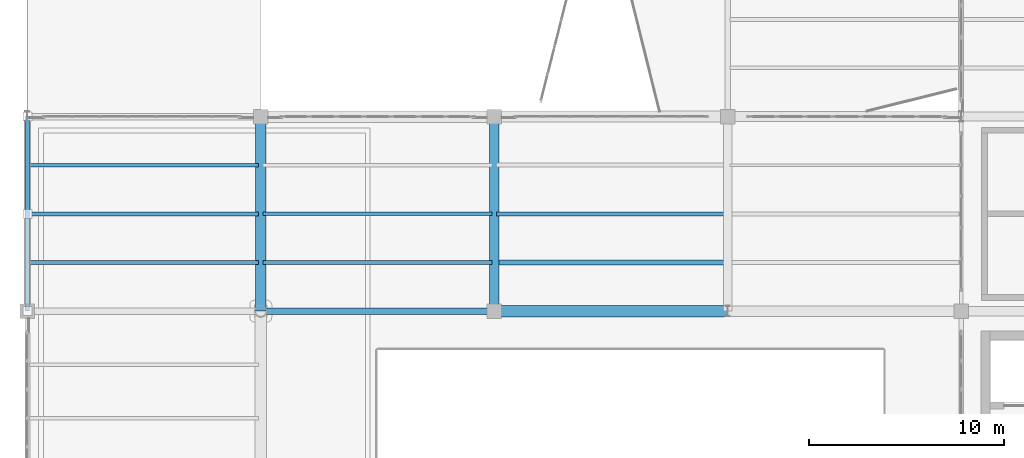
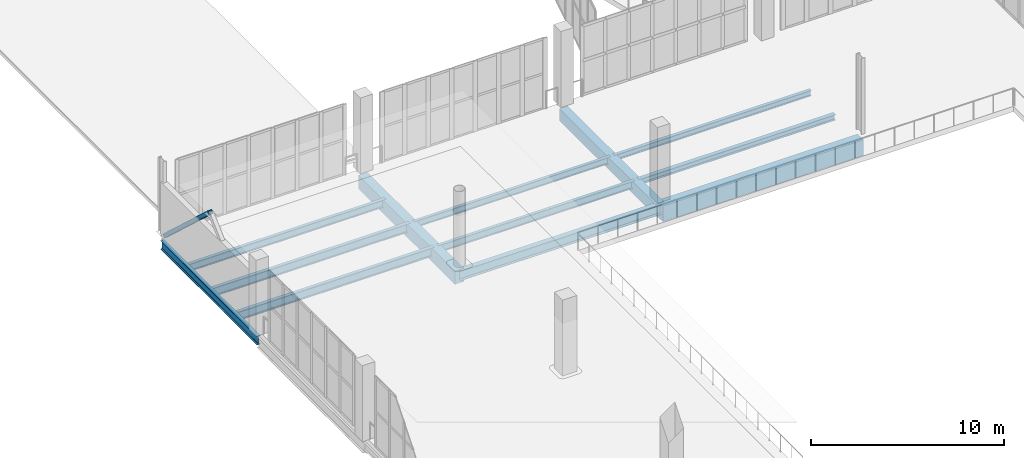
# One storey, part 26 of 136: 12 beams, 1 member.
"""IFC4 building model written with IfcOpenShell, lengths in metres."""

from ifc_helpers import new_model, si_unit, direction, frame, origin, origin_2d, place, context, subcontext, project, spatial, rectangle, hollow_rectangle, i_section, extrude, material, material_profile, profile_set, type_object, element, save


model = new_model("IFC4")

# Units and contexts
model_context = context("Model", 3, precision=1e-05, world=origin(), true_north=direction((0.0, 1.0)))
body_context = subcontext(model_context, "Body", "Model", "MODEL_VIEW")
ifc_project = project(units=[si_unit("LENGTHUNIT", "METRE"), si_unit("AREAUNIT", "SQUARE_METRE"), si_unit("VOLUMEUNIT", "CUBIC_METRE"), si_unit("PLANEANGLEUNIT", "RADIAN"), si_unit("MASSUNIT", "GRAM", prefix="KILO")], contexts=[model_context])

# Site, building, storey
site_placement = place(None, origin())
site = spatial("IfcSite", under=ifc_project, at=site_placement, CompositionType="ELEMENT")
building_placement = place(site_placement, origin())
building = spatial("IfcBuilding", under=site, at=building_placement, Name="Brinegate Civic Arena", CompositionType="ELEMENT")
storey_placement = place(building_placement, frame((0.0, 0.0, 5.39990234375)))
storey = spatial("IfcBuildingStorey", under=building, at=storey_placement, Name="L01", CompositionType="ELEMENT", Elevation=5.39990234375)

# Beams
ifc_material_1 = material(Name="Steel S355", Category="steel")
ifc_material_profile_1 = material_profile(ifc_material_1, i_section(OverallWidth=0.324951171875, OverallDepth=0.615966796875, WebThickness=0.013916015625, FlangeThickness=0.02197265625, FilletRadius=0.01611328125, at=origin_2d()), Name="W610X174")
ifc_profile_set_1 = profile_set([ifc_material_profile_1], Name="Steel S355")
beam_type_1 = type_object("IfcBeamType", Name="GIRDER-W610X174", PredefinedType="BEAM", material=ifc_profile_set_1)
beam_1_placement = place(storey_placement, frame((12.0, 42.0, -0.64794921875), z_axis=(1.0, 0.0, 0.0), x_axis=(0.0, 1.0, 0.0)))
element("IfcBeam", 1, at=beam_1_placement, inside=storey, type_object=beam_type_1, Name="Floor Girder BM-L01-GX-01-04", PredefinedType="BEAM", context=body_context, shape_type="SweptSolid", body=[
    extrude(i_section(OverallWidth=0.324951171875, OverallDepth=0.615966796875, WebThickness=0.013916015625, FlangeThickness=0.02197265625, FilletRadius=0.01611328125, at=origin_2d()), origin(), (0.0, 0.0, 1.0), 12.0),
])
ifc_material_profile_2 = material_profile(ifc_material_1, i_section(OverallWidth=0.205078125, OverallDepth=0.35400390625, WebThickness=0.009033203125, FlangeThickness=0.01708984375, FilletRadius=0.013916015625, at=origin_2d()), Name="W360X79")
ifc_profile_set_2 = profile_set([ifc_material_profile_2], Name="Steel S355")
beam_type_2 = type_object("IfcBeamType", Name="JOIST-W360X79", PredefinedType="JOIST", material=ifc_profile_set_2)
beam_2_placement = place(storey_placement, frame((24.10595703125, 47.0, -0.516845703125), z_axis=(1.0, 0.0, 0.0), x_axis=(0.0, 1.0, 0.0)))
element("IfcBeam", 2, at=beam_2_placement, inside=storey, type_object=beam_type_2, Name="Secondary Joist BM-L01-JX-02-04-2", PredefinedType="JOIST", context=body_context, shape_type="SweptSolid", body=[
    extrude(i_section(OverallWidth=0.205078125, OverallDepth=0.35400390625, WebThickness=0.009033203125, FlangeThickness=0.01708984375, FilletRadius=0.013916015625, at=origin_2d()), origin(), (0.0, 0.0, 1.0), 11.7880859375),
])
ifc_material_profile_3 = material_profile(ifc_material_1, i_section(OverallWidth=0.25390625, OverallDepth=0.35302734375, WebThickness=0.010009765625, FlangeThickness=0.01611328125, FilletRadius=0.013916015625, at=origin_2d()), Name="W360X91")
ifc_profile_set_3 = profile_set([ifc_material_profile_3], Name="Steel S355")
beam_type_3 = type_object("IfcBeamType", Name="JOIST-W360X91", PredefinedType="JOIST", material=ifc_profile_set_3)
beam_3_placement = place(storey_placement, frame((24.10595703125, 44.5, -0.515869140625), z_axis=(1.0, 0.0, 0.0), x_axis=(0.0, 1.0, 0.0)))
element("IfcBeam", 3, at=beam_3_placement, inside=storey, type_object=beam_type_3, Name="Secondary Joist BM-L01-JX-02-04-1", PredefinedType="JOIST", context=body_context, shape_type="SweptSolid", body=[
    extrude(i_section(OverallWidth=0.25390625, OverallDepth=0.35302734375, WebThickness=0.010009765625, FlangeThickness=0.01611328125, FilletRadius=0.013916015625, at=origin_2d()), origin(), (0.0, 0.0, 1.0), 11.7880859375),
])
ifc_material_profile_4 = material_profile(ifc_material_1, i_section(OverallWidth=0.180908203125, OverallDepth=0.4169921875, WebThickness=0.010986328125, FlangeThickness=0.01806640625, FilletRadius=0.013916015625, at=origin_2d()), Name="W410X85")
ifc_profile_set_4 = profile_set([ifc_material_profile_4], Name="Steel S355")
beam_type_4 = type_object("IfcBeamType", Name="JOIST-W410X85", PredefinedType="JOIST", material=ifc_profile_set_4)
beam_4_placement = place(storey_placement, frame((12.10595703125, 47.0, -0.5478515625), z_axis=(1.0, 0.0, 0.0), x_axis=(0.0, 1.0, 0.0)))
element("IfcBeam", 4, at=beam_4_placement, inside=storey, type_object=beam_type_4, Name="Secondary Joist BM-L01-JX-01-04-2", PredefinedType="JOIST", context=body_context, shape_type="SweptSolid", body=[
    extrude(i_section(OverallWidth=0.180908203125, OverallDepth=0.4169921875, WebThickness=0.010986328125, FlangeThickness=0.01806640625, FilletRadius=0.013916015625, at=origin_2d()), origin(), (0.0, 0.0, 1.0), 11.7880859375),
])
ifc_material_profile_5 = material_profile(ifc_material_1, i_section(OverallWidth=0.195068359375, OverallDepth=0.472900390625, WebThickness=0.011962890625, FlangeThickness=0.02197265625, FilletRadius=0.014892578125, at=origin_2d()), Name="W460X113")
ifc_profile_set_5 = profile_set([ifc_material_profile_5], Name="Steel S355")
beam_type_5 = type_object("IfcBeamType", Name="JOIST-W460X113", PredefinedType="JOIST", material=ifc_profile_set_5)
beam_5_placement = place(storey_placement, frame((0.10595703125, 49.5, -0.575927734375), z_axis=(1.0, 0.0, 0.0), x_axis=(0.0, 1.0, 0.0)))
element("IfcBeam", 5, at=beam_5_placement, inside=storey, type_object=beam_type_5, Name="Secondary Joist BM-L01-JX-00-04-3", PredefinedType="JOIST", context=body_context, shape_type="SweptSolid", body=[
    extrude(i_section(OverallWidth=0.195068359375, OverallDepth=0.472900390625, WebThickness=0.011962890625, FlangeThickness=0.02197265625, FilletRadius=0.014892578125, at=origin_2d()), origin(), (0.0, 0.0, 1.0), 11.7880859375),
])
ifc_material_profile_6 = material_profile(ifc_material_1, i_section(OverallWidth=0.19091796875, OverallDepth=0.4599609375, WebThickness=0.010009765625, FlangeThickness=0.01611328125, FilletRadius=0.014892578125, at=origin_2d()), Name="W460X82")
ifc_profile_set_6 = profile_set([ifc_material_profile_6], Name="Steel S355")
beam_type_6 = type_object("IfcBeamType", Name="JOIST-W460X82", PredefinedType="JOIST", material=ifc_profile_set_6)
beam_6_placement = place(storey_placement, frame((12.10595703125, 44.5, -0.56982421875), z_axis=(1.0, 0.0, 0.0), x_axis=(0.0, 1.0, 0.0)))
element("IfcBeam", 6, at=beam_6_placement, inside=storey, type_object=beam_type_6, Name="Secondary Joist BM-L01-JX-01-04-1", PredefinedType="JOIST", context=body_context, shape_type="SweptSolid", body=[
    extrude(i_section(OverallWidth=0.19091796875, OverallDepth=0.4599609375, WebThickness=0.010009765625, FlangeThickness=0.01611328125, FilletRadius=0.014892578125, at=origin_2d()), origin(), (0.0, 0.0, 1.0), 11.7880859375),
])
ifc_material_profile_7 = material_profile(ifc_material_1, i_section(OverallWidth=0.2109375, OverallDepth=0.5390625, WebThickness=0.011962890625, FlangeThickness=0.01904296875, FilletRadius=0.01611328125, at=origin_2d()), Name="W530X109")
ifc_profile_set_7 = profile_set([ifc_material_profile_7], Name="Steel S355")
beam_type_7 = type_object("IfcBeamType", Name="JOIST-W530X109", PredefinedType="JOIST", material=ifc_profile_set_7)
beam_7_placement = place(storey_placement, frame((0.10595703125, 47.0, -0.60888671875), z_axis=(1.0, 0.0, 0.0), x_axis=(0.0, 1.0, 0.0)))
element("IfcBeam", 7, at=beam_7_placement, inside=storey, type_object=beam_type_7, Name="Secondary Joist BM-L01-JX-00-04-2", PredefinedType="JOIST", context=body_context, shape_type="SweptSolid", body=[
    extrude(i_section(OverallWidth=0.2109375, OverallDepth=0.5390625, WebThickness=0.011962890625, FlangeThickness=0.01904296875, FilletRadius=0.01611328125, at=origin_2d()), origin(), (0.0, 0.0, 1.0), 11.7880859375),
])
ifc_material_profile_8 = material_profile(ifc_material_1, i_section(OverallWidth=0.214111328125, OverallDepth=0.549072265625, WebThickness=0.014892578125, FlangeThickness=0.02392578125, FilletRadius=0.01611328125, at=origin_2d()), Name="W530X138")
ifc_profile_set_8 = profile_set([ifc_material_profile_8], Name="Steel S355")
beam_type_8 = type_object("IfcBeamType", Name="JOIST-W530X138", PredefinedType="JOIST", material=ifc_profile_set_8)
beam_8_placement = place(storey_placement, frame((0.10595703125, 44.5, -0.614013671875), z_axis=(1.0, 0.0, 0.0), x_axis=(0.0, 1.0, 0.0)))
element("IfcBeam", 8, at=beam_8_placement, inside=storey, type_object=beam_type_8, Name="Secondary Joist BM-L01-JX-00-04-1", PredefinedType="JOIST", context=body_context, shape_type="SweptSolid", body=[
    extrude(i_section(OverallWidth=0.214111328125, OverallDepth=0.549072265625, WebThickness=0.014892578125, FlangeThickness=0.02392578125, FilletRadius=0.01611328125, at=origin_2d()), origin(), (0.0, 0.0, 1.0), 11.7880859375),
])
ifc_material_2 = material(Name="Concrete C50/60", Category="concrete")
ifc_material_profile_9 = material_profile(ifc_material_2, rectangle(XDim=0.5, YDim=0.75, at=origin_2d()), Name="RCB500X750")
ifc_profile_set_9 = profile_set([ifc_material_profile_9], Name="Concrete C50/60")
beam_type_9 = type_object("IfcBeamType", Name="RCG-500X750", PredefinedType="BEAM", material=ifc_profile_set_9)
beam_9_placement = place(storey_placement, frame((24.0, 42.0, -0.71484375), z_axis=(0.0, 1.0, 0.0), x_axis=(-1.0, 0.0, 0.0)))
element("IfcBeam", 9, at=beam_9_placement, inside=storey, type_object=beam_type_9, Name="Floor Girder BM-L01-GY-02-04", PredefinedType="BEAM", context=body_context, shape_type="SweptSolid", body=[
    extrude(rectangle(XDim=0.5, YDim=0.75, at=origin_2d()), origin(), (0.0, 0.0, 1.0), 10.0),
])
ifc_material_profile_10 = material_profile(ifc_material_2, rectangle(XDim=0.550048828125, YDim=0.85009765625, at=origin_2d()), Name="RCB550X850")
ifc_profile_set_10 = profile_set([ifc_material_profile_10], Name="Concrete C50/60")
beam_type_10 = type_object("IfcBeamType", Name="RCG-550X850", PredefinedType="BEAM", material=ifc_profile_set_10)
beam_10_placement = place(storey_placement, frame((12.0, 42.0, -0.764892578125), z_axis=(0.0, 1.0, 0.0), x_axis=(-1.0, 0.0, 0.0)))
element("IfcBeam", 10, at=beam_10_placement, inside=storey, type_object=beam_type_10, Name="Floor Girder BM-L01-GY-01-04", PredefinedType="BEAM", context=body_context, shape_type="SweptSolid", body=[
    extrude(rectangle(XDim=0.550048828125, YDim=0.85009765625, at=origin_2d()), origin(), (0.0, 0.0, 1.0), 10.0),
])
ifc_material_profile_11 = material_profile(ifc_material_2, rectangle(XDim=0.60009765625, YDim=1.0, at=origin_2d()), Name="RCB600X1000")
ifc_profile_set_11 = profile_set([ifc_material_profile_11], Name="Concrete C50/60")
beam_type_11 = type_object("IfcBeamType", Name="RCG-600X1000", PredefinedType="BEAM", material=ifc_profile_set_11)
beam_11_placement = place(storey_placement, frame((24.0, 42.0, -0.83984375), z_axis=(1.0, 0.0, 0.0), x_axis=(0.0, 1.0, 0.0)))
element("IfcBeam", 11, at=beam_11_placement, inside=storey, type_object=beam_type_11, Name="Floor Girder BM-L01-GX-02-04", PredefinedType="BEAM", context=body_context, shape_type="SweptSolid", body=[
    extrude(rectangle(XDim=0.60009765625, YDim=1.0, at=origin_2d()), origin(), (0.0, 0.0, 1.0), 12.0),
])

# Member
ifc_material_profile_12 = material_profile(ifc_material_1, hollow_rectangle(XDim=0.25, YDim=0.25, WallThickness=0.011962890625, InnerFilletRadius=0.011962890625, OuterFilletRadius=0.02392578125, at=origin_2d()), Name="SHS250X12")
ifc_profile_set_12 = profile_set([ifc_material_profile_12], Name="Steel S355")
member_type = type_object("IfcMemberType", Name="SF-BRACE-SHS250", PredefinedType="BRACE", material=ifc_profile_set_12)
member_placement = place(storey_placement, frame((0.0, 51.679931640625, 0.150146484375), z_axis=(0.0, -0.734793157262, 0.678291247209), x_axis=(1.0, 0.0, 0.0)))
element("IfcMember", 12, at=member_placement, inside=storey, type_object=member_type, Name="Lateral Chevron Brace 04-B", PredefinedType="BRACE", context=body_context, shape_type="SweptSolid", body=[
    extrude(hollow_rectangle(XDim=0.25, YDim=0.25, WallThickness=0.011962890625, InnerFilletRadius=0.011962890625, OuterFilletRadius=0.02392578125, at=origin_2d()), origin(), (0.0, 0.0, 1.0), 6.369140625),
])

# Beam
ifc_material_profile_13 = material_profile(ifc_material_1, i_section(OverallWidth=0.2119140625, OverallDepth=0.5439453125, WebThickness=0.012939453125, FlangeThickness=0.02099609375, FilletRadius=0.01611328125, at=origin_2d()), Name="W530X123")
ifc_profile_set_13 = profile_set([ifc_material_profile_13], Name="Steel S355")
beam_type_12 = type_object("IfcBeamType", Name="SPANDREL-W530X123", PredefinedType="SPANDREL", material=ifc_profile_set_13)
beam_12_placement = place(storey_placement, frame((0.0, 42.0, -0.61181640625), z_axis=(0.0, 1.0, 0.0), x_axis=(-1.0, 0.0, 0.0)))
element("IfcBeam", 13, at=beam_12_placement, inside=storey, type_object=beam_type_12, Name="Floor Girder BM-L01-GY-00-04", PredefinedType="SPANDREL", context=body_context, shape_type="SweptSolid", body=[
    extrude(i_section(OverallWidth=0.2119140625, OverallDepth=0.5439453125, WebThickness=0.012939453125, FlangeThickness=0.02099609375, FilletRadius=0.01611328125, at=origin_2d()), origin(), (0.0, 0.0, 1.0), 10.0),
])

save(model, "model.ifc")
